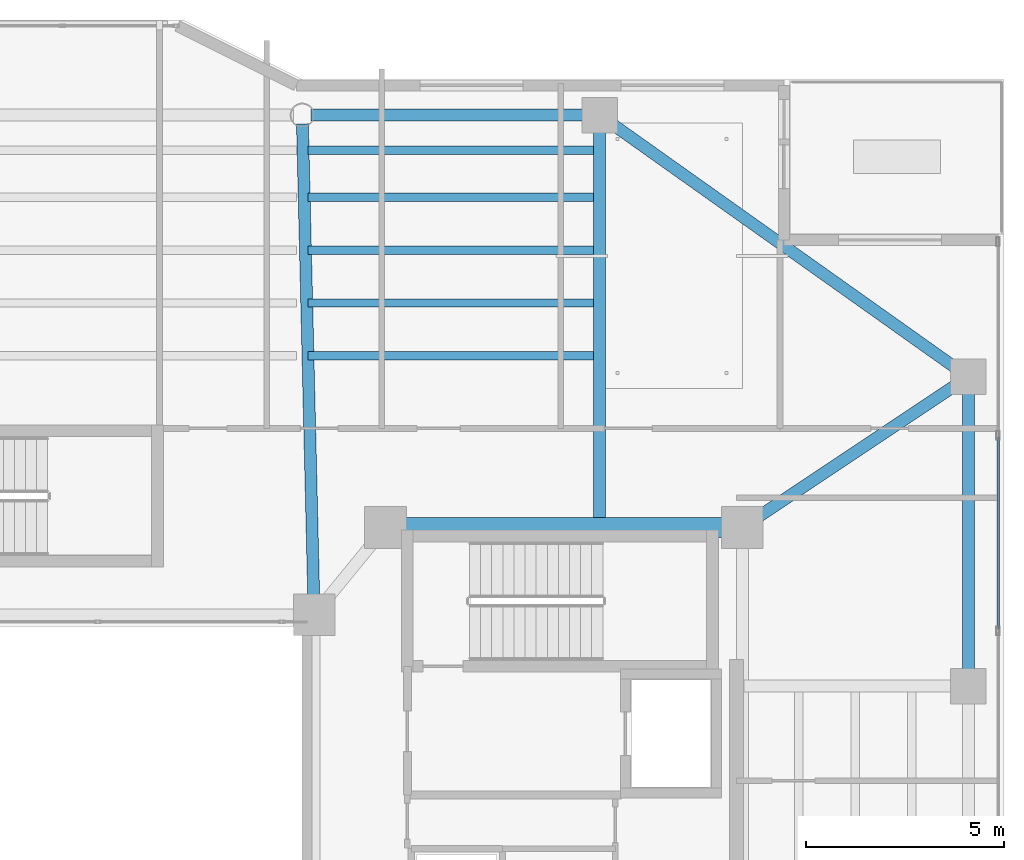
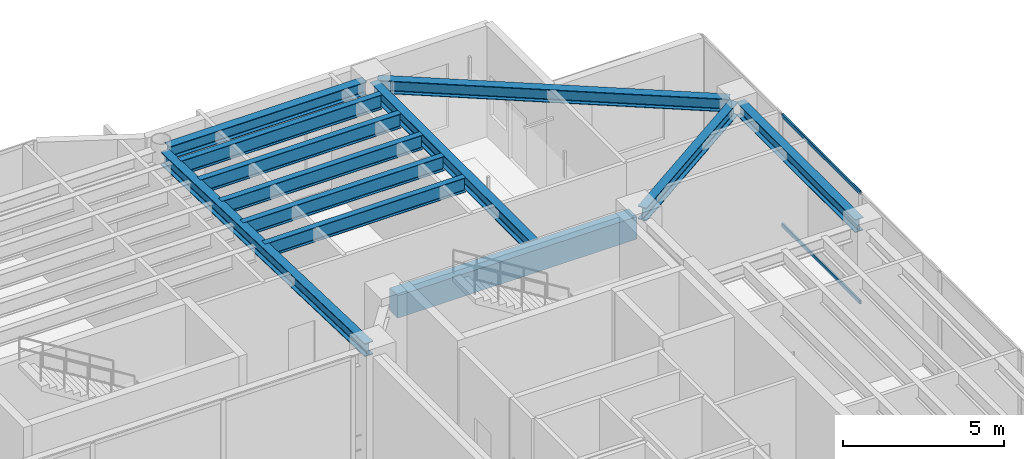
# One storey, part 20 of 33: 12 beams, 2 members, 1 element without a shape of its own.
"""IFC4 building model written with IfcOpenShell, lengths in metres."""

from ifc_helpers import new_model, si_unit, direction, frame, origin, origin_2d, place, context, subcontext, project, spatial, rectangle, hollow_rectangle, i_section, extrude, material, layer, layer_set, material_profile, profile_set, type_object, element, aggregate, save


model = new_model("IFC4")

# Units and contexts
model_context = context("Model", 3, precision=1e-05, world=origin(), true_north=direction((0.0, 1.0)))
body_context = subcontext(model_context, "Body", "Model", "MODEL_VIEW")
ifc_project = project(units=[si_unit("LENGTHUNIT", "METRE"), si_unit("AREAUNIT", "SQUARE_METRE"), si_unit("VOLUMEUNIT", "CUBIC_METRE"), si_unit("PLANEANGLEUNIT", "RADIAN"), si_unit("MASSUNIT", "GRAM", prefix="KILO")], contexts=[model_context])

# Site, building, storey
site_placement = place(None, origin())
site = spatial("IfcSite", under=ifc_project, at=site_placement, CompositionType="ELEMENT")
building_placement = place(site_placement, origin())
building = spatial("IfcBuilding", under=site, at=building_placement, Name="Tarnavaz Court Tower", CompositionType="ELEMENT")
storey_placement = place(building_placement, frame((0.0, 0.0, 177.300048828125)))
storey = spatial("IfcBuildingStorey", under=building, at=storey_placement, Name="L48", CompositionType="ELEMENT", Elevation=177.300048828125)

# Beams
ifc_material_1 = material(Name="Concrete C50/60", Category="concrete")
ifc_material_profile_1 = material_profile(ifc_material_1, rectangle(XDim=0.5, YDim=0.85009765625, at=origin_2d()), Name="RC 500X850")
ifc_profile_set_1 = profile_set([ifc_material_profile_1], Name="Concrete C50/60")
beam_type_1 = type_object("IfcBeamType", Name="BM-CB850", PredefinedType="LINTEL", material=ifc_profile_set_1)
beam_1_placement = place(storey_placement, frame((18.3798828125, 10.0, 3.77490234375), z_axis=(-1.0, 0.0, 0.0), x_axis=(0.0, -1.0, 0.0)))
element("IfcBeam", 1, at=beam_1_placement, inside=storey, type_object=beam_type_1, Name="L48 Beam IN-CE-NO-CE-NI", PredefinedType="LINTEL", context=body_context, shape_type="SweptSolid", body=[
    extrude(rectangle(XDim=0.5, YDim=0.85009765625, at=origin_2d()), origin(), (0.0, 0.0, 1.0), 8.559814453125),
])
ifc_material_2 = material(Name="Steel S355", Category="steel")
ifc_material_profile_2 = material_profile(ifc_material_2, i_section(OverallWidth=0.300048828125, OverallDepth=0.5, WebThickness=0.014404296875, FlangeThickness=0.028076171875, FilletRadius=0.027099609375, at=origin_2d()), Name="HEB 500")
ifc_profile_set_2 = profile_set([ifc_material_profile_2], Name="Steel S355")
beam_type_2 = type_object("IfcBeamType", Name="BM-G-HEB500", PredefinedType="USERDEFINED", material=ifc_profile_set_2)
beam_2_placement = place(storey_placement, frame((7.794921875, 8.02001953125, 3.949951171875), z_axis=(-0.023824748444, 0.999716150395, 0.0), x_axis=(-0.999716150395, -0.023824748444, 0.0)))
element("IfcBeam", 2, at=beam_2_placement, inside=storey, type_object=beam_type_2, Name="L48 Beam RG-03", ObjectType="GIRDER", PredefinedType="USERDEFINED", context=body_context, shape_type="SweptSolid", body=[
    extrude(i_section(OverallWidth=0.300048828125, OverallDepth=0.5, WebThickness=0.014404296875, FlangeThickness=0.028076171875, FilletRadius=0.027099609375, at=origin_2d()), origin(), (0.0, 0.0, 1.0), 12.16357421875),
])
beam_3_placement = place(storey_placement, frame((15.0, 10.0400390625, 3.949951171875), z_axis=(0.0, 1.0, 0.0), x_axis=(-1.0, 0.0, 0.0)))
element("IfcBeam", 3, at=beam_3_placement, inside=storey, type_object=beam_type_2, Name="L48 Beam RG-04", ObjectType="GIRDER", PredefinedType="USERDEFINED", context=body_context, shape_type="SweptSolid", body=[
    extrude(i_section(OverallWidth=0.300048828125, OverallDepth=0.5, WebThickness=0.014404296875, FlangeThickness=0.028076171875, FilletRadius=0.027099609375, at=origin_2d()), origin(), (0.0, 0.0, 1.0), 10.139892578125),
])
beam_4_placement = place(storey_placement, frame((18.783203125, 10.1220703125, 3.949951171875), z_axis=(0.832044435051, 0.554708985056, 0.0), x_axis=(-0.554708985056, 0.832044435051, 0.0)))
element("IfcBeam", 4, at=beam_4_placement, inside=storey, type_object=beam_type_2, Name="L48 Beam RG-12", ObjectType="GIRDER", PredefinedType="USERDEFINED", context=body_context, shape_type="SweptSolid", body=[
    extrude(i_section(OverallWidth=0.300048828125, OverallDepth=0.5, WebThickness=0.014404296875, FlangeThickness=0.028076171875, FilletRadius=0.027099609375, at=origin_2d()), origin(), (0.0, 0.0, 1.0), 6.410400390625),
])
ifc_material_profile_3 = material_profile(ifc_material_2, i_section(OverallWidth=0.2099609375, OverallDepth=0.550048828125, WebThickness=0.010986328125, FlangeThickness=0.01708984375, FilletRadius=0.02392578125, at=origin_2d()), Name="IPE 550")
ifc_profile_set_3 = profile_set([ifc_material_profile_3], Name="Steel S355")
beam_type_3 = type_object("IfcBeamType", Name="BM-J-IPE550", PredefinedType="JOIST", material=ifc_profile_set_3)
for number, where, z_axis, x_axis, name in (
    (5, (7.64990234375, 14.33203125, 3.925048828125), (1.0, 0.0, 0.0), (0.0, 1.0, 0.0), "L48 Beam JN1-3"),
    (6, (7.64990234375, 15.6640625, 3.925048828125), (1.0, 0.0, 0.0), (0.0, 1.0, 0.0), "L48 Beam JN2-3"),
    (7, (7.64990234375, 16.99609375, 3.925048828125), (1.0, 0.0, 0.0), (0.0, 1.0, 0.0), "L48 Beam JN3-3"),
    (8, (7.64990234375, 18.327880859375, 3.925048828125), (1.0, 0.0, 0.0), (0.0, 1.0, 0.0), "L48 Beam JN4-3"),
    (9, (7.64990234375, 19.511962890625, 3.925048828125), (1.0, 0.0, 0.0), (0.0, 1.0, 0.0), "L48 Beam JN5-3"),
):
    element("IfcBeam", number, at=place(storey_placement, frame(where, z_axis=z_axis, x_axis=x_axis)), inside=storey, type_object=beam_type_3, Name=name, PredefinedType="JOIST", context=body_context, shape_type="SweptSolid", body=[
        extrude(i_section(OverallWidth=0.2099609375, OverallDepth=0.550048828125, WebThickness=0.010986328125, FlangeThickness=0.01708984375, FilletRadius=0.02392578125, at=origin_2d()), origin(), (0.0, 0.0, 1.0), 7.2001953125),
    ])
ifc_material_profile_4 = material_profile(ifc_material_2, i_section(OverallWidth=0.300048828125, OverallDepth=0.489990234375, WebThickness=0.011962890625, FlangeThickness=0.02294921875, FilletRadius=0.027099609375, at=origin_2d()), Name="HEA 500")
ifc_profile_set_4 = profile_set([ifc_material_profile_4], Name="Steel S355")
beam_type_4 = type_object("IfcBeamType", Name="BM-SP-HEA500", PredefinedType="SPANDREL", material=ifc_profile_set_4)
beam_5_placement = place(storey_placement, frame((7.719970703125, 20.39990234375, 3.954833984375), z_axis=(1.0, 0.0, 0.0), x_axis=(0.0, 1.0, 0.0)))
element("IfcBeam", 10, at=beam_5_placement, inside=storey, type_object=beam_type_4, Name="L48 Beam PR-PN-3-PN-4", PredefinedType="SPANDREL", context=body_context, shape_type="SweptSolid", body=[
    extrude(i_section(OverallWidth=0.300048828125, OverallDepth=0.489990234375, WebThickness=0.011962890625, FlangeThickness=0.02294921875, FilletRadius=0.027099609375, at=origin_2d()), origin(), (0.0, 0.0, 1.0), 7.06005859375),
])
beam_6_placement = place(storey_placement, frame((24.300048828125, 6.219970703125, 3.954833984375), z_axis=(0.0, 1.0, 0.0), x_axis=(-1.0, 0.0, 0.0)))
element("IfcBeam", 11, at=beam_6_placement, inside=storey, type_object=beam_type_4, Name="L48 Beam PR-PE-3-PE-4", PredefinedType="SPANDREL", context=body_context, shape_type="SweptSolid", body=[
    extrude(i_section(OverallWidth=0.300048828125, OverallDepth=0.489990234375, WebThickness=0.011962890625, FlangeThickness=0.02294921875, FilletRadius=0.027099609375, at=origin_2d()), origin(), (0.0, 0.0, 1.0), 7.360107421875),
])
beam_7_placement = place(storey_placement, frame((15.179443359375, 20.272705078125, 3.954833984375), z_axis=(0.815502059396, -0.57875417158, 0.0), x_axis=(0.57875417158, 0.815502059396, 0.0)))
element("IfcBeam", 12, at=beam_7_placement, inside=storey, type_object=beam_type_4, Name="L48 Beam PR-PN-4-PE-4", PredefinedType="SPANDREL", context=body_context, shape_type="SweptSolid", body=[
    extrude(i_section(OverallWidth=0.300048828125, OverallDepth=0.489990234375, WebThickness=0.011962890625, FlangeThickness=0.02294921875, FilletRadius=0.027099609375, at=origin_2d()), origin(), (0.0, 0.0, 1.0), 10.964111328125),
])

# Curtain wall, members
ifc_material_3 = material(Name="Anodised Aluminium 6063-T6 and Solar Low-E Glazing", Category="aluminium")
ifc_layer = layer(ifc_material_3, 0.199951171875)
ifc_layer_set = layer_set([ifc_layer], Name="Anodised Aluminium 6063-T6 and Solar Low-E Glazing")
curtain_wall_type = type_object("IfcCurtainWallType", Name="CW-SYS-05", PredefinedType="NOTDEFINED", material=ifc_layer_set)
curtain_wall_placement = place(storey_placement, origin())
curtain_wall = element("IfcCurtainWall", 13, at=curtain_wall_placement, inside=storey, type_object=curtain_wall_type, Name="L48 Sky-Portal Curtain Wall 12", PredefinedType="NOTDEFINED")
ifc_material_4 = material(Name="Anodised Aluminium 6063-T6", Category="aluminium")
ifc_material_profile_5 = material_profile(ifc_material_4, hollow_rectangle(XDim=0.06494140625, YDim=0.139892578125, WallThickness=0.00390625, InnerFilletRadius=0.00390625, OuterFilletRadius=0.008056640625, at=origin_2d()), Name="ALU RHS 140X65X4")
ifc_profile_set_5 = profile_set([ifc_material_profile_5], Name="Anodised Aluminium 6063-T6")
member_type = type_object("IfcMemberType", Name="CW-TRN-140", PredefinedType="USERDEFINED", material=ifc_profile_set_5)
member_1_placement = place(storey_placement, frame((25.050048828125, 12.27880859375, 0.032470703125), z_axis=(0.0, -1.0, 0.0), x_axis=(1.0, 0.0, 0.0)))
member_1 = element("IfcMember", 14, at=member_1_placement, type_object=member_type, Name="CW transom 2.1", ObjectType="TRANSOM", PredefinedType="USERDEFINED", context=body_context, shape_type="SweptSolid", body=[
    extrude(hollow_rectangle(XDim=0.06494140625, YDim=0.139892578125, WallThickness=0.00390625, InnerFilletRadius=0.00390625, OuterFilletRadius=0.008056640625, at=origin_2d()), origin(), (0.0, 0.0, 1.0), 4.843505859375),
])
member_2_placement = place(storey_placement, frame((25.050048828125, 12.27880859375, 4.16748046875), z_axis=(0.0, -1.0, 0.0), x_axis=(1.0, 0.0, 0.0)))
member_2 = element("IfcMember", 15, at=member_2_placement, type_object=member_type, Name="CW transom 2.2", ObjectType="TRANSOM", PredefinedType="USERDEFINED", context=body_context, shape_type="SweptSolid", body=[
    extrude(hollow_rectangle(XDim=0.06494140625, YDim=0.139892578125, WallThickness=0.00390625, InnerFilletRadius=0.00390625, OuterFilletRadius=0.008056640625, at=origin_2d()), origin(), (0.0, 0.0, 1.0), 4.843505859375),
])
aggregate(curtain_wall, [member_1, member_2])

save(model, "model.ifc")
